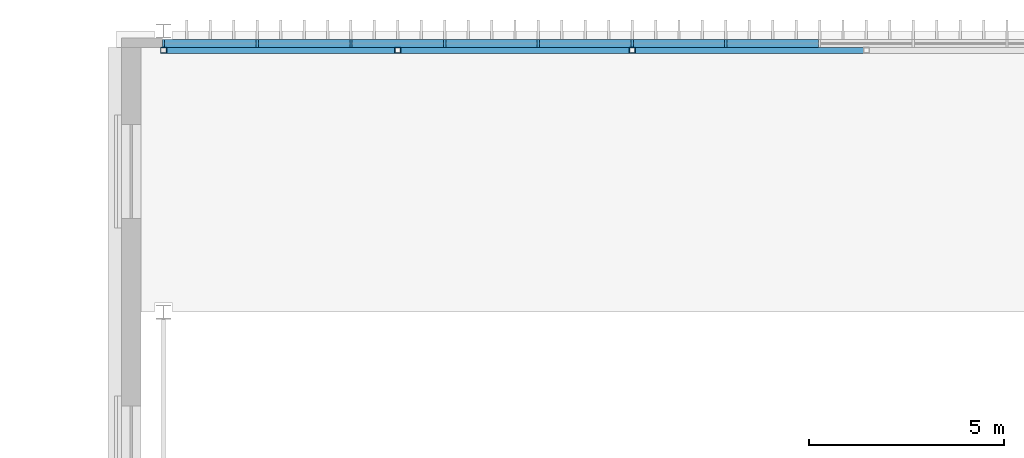
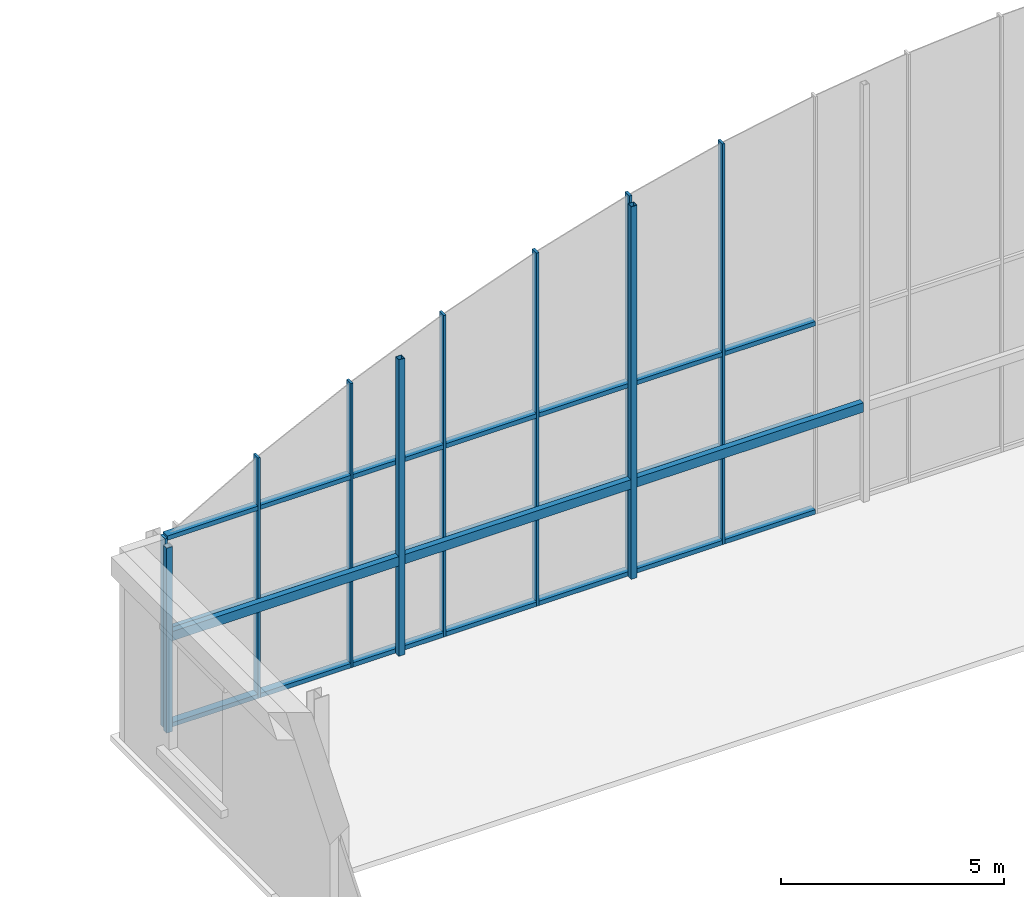
# One storey, part 32 of 93: 31 members, 3 beams, 1 element without a shape of its own.
"""IFC4 building model written with IfcOpenShell, lengths in metres."""

from ifc_helpers import new_model, si_unit, direction, frame, origin, origin_2d, place, context, subcontext, project, spatial, rectangle, hollow_rectangle, extrude, material, layer, layer_set, material_profile, profile_set, type_object, element, aggregate, save


model = new_model("IFC4")

# Units and contexts
model_context = context("Model", 3, precision=1e-05, world=origin(), true_north=direction((0.0, 1.0)))
body_context = subcontext(model_context, "Body", "Model", "MODEL_VIEW")
ifc_project = project(units=[si_unit("LENGTHUNIT", "METRE"), si_unit("AREAUNIT", "SQUARE_METRE"), si_unit("VOLUMEUNIT", "CUBIC_METRE"), si_unit("PLANEANGLEUNIT", "RADIAN"), si_unit("MASSUNIT", "GRAM", prefix="KILO")], contexts=[model_context])

# Site, building, storey
site_placement = place(None, origin())
site = spatial("IfcSite", under=ifc_project, at=site_placement, CompositionType="ELEMENT")
building_placement = place(site_placement, origin())
building = spatial("IfcBuilding", under=site, at=building_placement, Name="Verrick Yard Athletic Hall", CompositionType="ELEMENT")
storey_placement = place(building_placement, frame((0.0, 0.0, 8.800048828125)))
storey = spatial("IfcBuildingStorey", under=building, at=storey_placement, Name="L02", CompositionType="ELEMENT", Elevation=8.800048828125)

# Curtain wall, members
ifc_material_1 = material(Name="Anodised aluminium", Category="aluminium")
ifc_layer = layer(ifc_material_1, 0.199951171875)
ifc_layer_set = layer_set([ifc_layer], Name="Gable glazing")
curtain_wall_type = type_object("IfcCurtainWallType", Name="Gable glazing", PredefinedType="NOTDEFINED", material=ifc_layer_set)
curtain_wall_placement = place(storey_placement, origin())
curtain_wall = element("IfcCurtainWall", 1, at=curtain_wall_placement, inside=storey, type_object=curtain_wall_type, Name="Gable curtain wall AN", PredefinedType="NOTDEFINED")
ifc_material_profile_1 = material_profile(ifc_material_1, rectangle(XDim=0.199951171875, YDim=0.06005859375, at=origin_2d()), Name="CW gable mullion 60x200")
ifc_profile_set_1 = profile_set([ifc_material_profile_1], Name="Anodised aluminium")
member_type_1 = type_object("IfcMemberType", Name="Gable glazing mullion 60x200", PredefinedType="MULLION", material=ifc_profile_set_1)
member_1_placement = place(storey_placement, frame((121.60009765625, 107.681640625, 0.0), z_axis=(0.0, 0.0, 1.0), x_axis=(0.0, 1.0, 0.0)))
member_1 = element("IfcMember", 2, at=member_1_placement, type_object=member_type_1, Name="ENVB-HAN-CW/M00", PredefinedType="MULLION", context=body_context, shape_type="SweptSolid", body=[
    extrude(rectangle(XDim=0.199951171875, YDim=0.06005859375, at=origin_2d()), origin(), (0.0, 0.0, 1.0), 5.199951171875),
])
member_2_placement = place(storey_placement, frame((124.0, 107.681640625, 0.0), z_axis=(0.0, 0.0, 1.0), x_axis=(0.0, 1.0, 0.0)))
member_2 = element("IfcMember", 3, at=member_2_placement, type_object=member_type_1, Name="ENVB-HAN-CW/M01", PredefinedType="MULLION", context=body_context, shape_type="SweptSolid", body=[
    extrude(rectangle(XDim=0.199951171875, YDim=0.06005859375, at=origin_2d()), origin(), (0.0, 0.0, 1.0), 6.5703125),
])
member_3_placement = place(storey_placement, frame((126.39990234375, 107.681640625, 0.0), z_axis=(0.0, 0.0, 1.0), x_axis=(0.0, 1.0, 0.0)))
member_3 = element("IfcMember", 4, at=member_3_placement, type_object=member_type_1, Name="ENVB-HAN-CW/M02", PredefinedType="MULLION", context=body_context, shape_type="SweptSolid", body=[
    extrude(rectangle(XDim=0.199951171875, YDim=0.06005859375, at=origin_2d()), origin(), (0.0, 0.0, 1.0), 7.758544921875),
])
member_4_placement = place(storey_placement, frame((128.800048828125, 107.681640625, 0.0), z_axis=(0.0, 0.0, 1.0), x_axis=(0.0, 1.0, 0.0)))
member_4 = element("IfcMember", 5, at=member_4_placement, type_object=member_type_1, Name="ENVB-HAN-CW/M03", PredefinedType="MULLION", context=body_context, shape_type="SweptSolid", body=[
    extrude(rectangle(XDim=0.199951171875, YDim=0.06005859375, at=origin_2d()), origin(), (0.0, 0.0, 1.0), 8.779541015625),
])
member_5_placement = place(storey_placement, frame((131.199951171875, 107.681640625, 0.0), z_axis=(0.0, 0.0, 1.0), x_axis=(0.0, 1.0, 0.0)))
member_5 = element("IfcMember", 6, at=member_5_placement, type_object=member_type_1, Name="ENVB-HAN-CW/M04", PredefinedType="MULLION", context=body_context, shape_type="SweptSolid", body=[
    extrude(rectangle(XDim=0.199951171875, YDim=0.06005859375, at=origin_2d()), origin(), (0.0, 0.0, 1.0), 9.64501953125),
])
member_6_placement = place(storey_placement, frame((133.60009765625, 107.681640625, 0.0), z_axis=(0.0, 0.0, 1.0), x_axis=(0.0, 1.0, 0.0)))
member_6 = element("IfcMember", 7, at=member_6_placement, type_object=member_type_1, Name="ENVB-HAN-CW/M05", PredefinedType="MULLION", context=body_context, shape_type="SweptSolid", body=[
    extrude(rectangle(XDim=0.199951171875, YDim=0.06005859375, at=origin_2d()), origin(), (0.0, 0.0, 1.0), 10.3642578125),
])
member_7_placement = place(storey_placement, frame((136.0, 107.681640625, 0.0), z_axis=(0.0, 0.0, 1.0), x_axis=(0.0, 1.0, 0.0)))
member_7 = element("IfcMember", 8, at=member_7_placement, type_object=member_type_1, Name="ENVB-HAN-CW/M06", PredefinedType="MULLION", context=body_context, shape_type="SweptSolid", body=[
    extrude(rectangle(XDim=0.199951171875, YDim=0.06005859375, at=origin_2d()), origin(), (0.0, 0.0, 1.0), 10.9443359375),
])
ifc_material_profile_2 = material_profile(ifc_material_1, rectangle(XDim=0.199951171875, YDim=0.1201171875, at=origin_2d()), Name="CW gable transom 200x120")
ifc_profile_set_2 = profile_set([ifc_material_profile_2], Name="Anodised aluminium")
member_type_2 = type_object("IfcMemberType", Name="Gable glazing transom 200x120", PredefinedType="USERDEFINED", material=ifc_profile_set_2)
member_8_placement = place(storey_placement, frame((121.6298828125, 107.681640625, 0.06005859375), z_axis=(1.0, 0.0, 0.0), x_axis=(0.0, 1.0, 0.0)))
member_8 = element("IfcMember", 9, at=member_8_placement, type_object=member_type_2, Name="ENVB-HAN-CW/T00-00", ObjectType="TRANSOM", PredefinedType="USERDEFINED", context=body_context, shape_type="SweptSolid", body=[
    extrude(rectangle(XDim=0.199951171875, YDim=0.1201171875, at=origin_2d()), origin(), (0.0, 0.0, 1.0), 2.340087890625),
])
member_9_placement = place(storey_placement, frame((121.6298828125, 107.681640625, 2.599853515625), z_axis=(1.0, 0.0, 0.0), x_axis=(0.0, 1.0, 0.0)))
member_9 = element("IfcMember", 10, at=member_9_placement, type_object=member_type_2, Name="ENVB-HAN-CW/T00-01", ObjectType="TRANSOM", PredefinedType="USERDEFINED", context=body_context, shape_type="SweptSolid", body=[
    extrude(rectangle(XDim=0.199951171875, YDim=0.1201171875, at=origin_2d()), origin(), (0.0, 0.0, 1.0), 2.340087890625),
])
member_10_placement = place(storey_placement, frame((121.6298828125, 107.681640625, 5.199951171875), z_axis=(1.0, 0.0, 0.0), x_axis=(0.0, 1.0, 0.0)))
member_10 = element("IfcMember", 11, at=member_10_placement, type_object=member_type_2, Name="ENVB-HAN-CW/T00-02", ObjectType="TRANSOM", PredefinedType="USERDEFINED", context=body_context, shape_type="SweptSolid", body=[
    extrude(rectangle(XDim=0.199951171875, YDim=0.1201171875, at=origin_2d()), origin(), (0.0, 0.0, 1.0), 2.340087890625),
])
member_11_placement = place(storey_placement, frame((124.030029296875, 107.681640625, 0.06005859375), z_axis=(1.0, 0.0, 0.0), x_axis=(0.0, 1.0, 0.0)))
member_11 = element("IfcMember", 12, at=member_11_placement, type_object=member_type_2, Name="ENVB-HAN-CW/T01-00", ObjectType="TRANSOM", PredefinedType="USERDEFINED", context=body_context, shape_type="SweptSolid", body=[
    extrude(rectangle(XDim=0.199951171875, YDim=0.1201171875, at=origin_2d()), origin(), (0.0, 0.0, 1.0), 2.340087890625),
])
member_12_placement = place(storey_placement, frame((124.030029296875, 107.681640625, 2.599853515625), z_axis=(1.0, 0.0, 0.0), x_axis=(0.0, 1.0, 0.0)))
member_12 = element("IfcMember", 13, at=member_12_placement, type_object=member_type_2, Name="ENVB-HAN-CW/T01-01", ObjectType="TRANSOM", PredefinedType="USERDEFINED", context=body_context, shape_type="SweptSolid", body=[
    extrude(rectangle(XDim=0.199951171875, YDim=0.1201171875, at=origin_2d()), origin(), (0.0, 0.0, 1.0), 2.340087890625),
])
member_13_placement = place(storey_placement, frame((124.030029296875, 107.681640625, 5.199951171875), z_axis=(1.0, 0.0, 0.0), x_axis=(0.0, 1.0, 0.0)))
member_13 = element("IfcMember", 14, at=member_13_placement, type_object=member_type_2, Name="ENVB-HAN-CW/T01-02", ObjectType="TRANSOM", PredefinedType="USERDEFINED", context=body_context, shape_type="SweptSolid", body=[
    extrude(rectangle(XDim=0.199951171875, YDim=0.1201171875, at=origin_2d()), origin(), (0.0, 0.0, 1.0), 2.340087890625),
])
member_14_placement = place(storey_placement, frame((126.429931640625, 107.681640625, 0.06005859375), z_axis=(1.0, 0.0, 0.0), x_axis=(0.0, 1.0, 0.0)))
member_14 = element("IfcMember", 15, at=member_14_placement, type_object=member_type_2, Name="ENVB-HAN-CW/T02-00", ObjectType="TRANSOM", PredefinedType="USERDEFINED", context=body_context, shape_type="SweptSolid", body=[
    extrude(rectangle(XDim=0.199951171875, YDim=0.1201171875, at=origin_2d()), origin(), (0.0, 0.0, 1.0), 2.340087890625),
])
member_15_placement = place(storey_placement, frame((126.429931640625, 107.681640625, 2.599853515625), z_axis=(1.0, 0.0, 0.0), x_axis=(0.0, 1.0, 0.0)))
member_15 = element("IfcMember", 16, at=member_15_placement, type_object=member_type_2, Name="ENVB-HAN-CW/T02-01", ObjectType="TRANSOM", PredefinedType="USERDEFINED", context=body_context, shape_type="SweptSolid", body=[
    extrude(rectangle(XDim=0.199951171875, YDim=0.1201171875, at=origin_2d()), origin(), (0.0, 0.0, 1.0), 2.340087890625),
])
member_16_placement = place(storey_placement, frame((126.429931640625, 107.681640625, 5.199951171875), z_axis=(1.0, 0.0, 0.0), x_axis=(0.0, 1.0, 0.0)))
member_16 = element("IfcMember", 17, at=member_16_placement, type_object=member_type_2, Name="ENVB-HAN-CW/T02-02", ObjectType="TRANSOM", PredefinedType="USERDEFINED", context=body_context, shape_type="SweptSolid", body=[
    extrude(rectangle(XDim=0.199951171875, YDim=0.1201171875, at=origin_2d()), origin(), (0.0, 0.0, 1.0), 2.340087890625),
])
member_17_placement = place(storey_placement, frame((128.830078125, 107.681640625, 0.06005859375), z_axis=(1.0, 0.0, 0.0), x_axis=(0.0, 1.0, 0.0)))
member_17 = element("IfcMember", 18, at=member_17_placement, type_object=member_type_2, Name="ENVB-HAN-CW/T03-00", ObjectType="TRANSOM", PredefinedType="USERDEFINED", context=body_context, shape_type="SweptSolid", body=[
    extrude(rectangle(XDim=0.199951171875, YDim=0.1201171875, at=origin_2d()), origin(), (0.0, 0.0, 1.0), 2.33984375),
])
member_18_placement = place(storey_placement, frame((128.830078125, 107.681640625, 2.599853515625), z_axis=(1.0, 0.0, 0.0), x_axis=(0.0, 1.0, 0.0)))
member_18 = element("IfcMember", 19, at=member_18_placement, type_object=member_type_2, Name="ENVB-HAN-CW/T03-01", ObjectType="TRANSOM", PredefinedType="USERDEFINED", context=body_context, shape_type="SweptSolid", body=[
    extrude(rectangle(XDim=0.199951171875, YDim=0.1201171875, at=origin_2d()), origin(), (0.0, 0.0, 1.0), 2.33984375),
])
member_19_placement = place(storey_placement, frame((128.830078125, 107.681640625, 5.199951171875), z_axis=(1.0, 0.0, 0.0), x_axis=(0.0, 1.0, 0.0)))
member_19 = element("IfcMember", 20, at=member_19_placement, type_object=member_type_2, Name="ENVB-HAN-CW/T03-02", ObjectType="TRANSOM", PredefinedType="USERDEFINED", context=body_context, shape_type="SweptSolid", body=[
    extrude(rectangle(XDim=0.199951171875, YDim=0.1201171875, at=origin_2d()), origin(), (0.0, 0.0, 1.0), 2.33984375),
])
member_20_placement = place(storey_placement, frame((131.22998046875, 107.681640625, 0.06005859375), z_axis=(1.0, 0.0, 0.0), x_axis=(0.0, 1.0, 0.0)))
member_20 = element("IfcMember", 21, at=member_20_placement, type_object=member_type_2, Name="ENVB-HAN-CW/T04-00", ObjectType="TRANSOM", PredefinedType="USERDEFINED", context=body_context, shape_type="SweptSolid", body=[
    extrude(rectangle(XDim=0.199951171875, YDim=0.1201171875, at=origin_2d()), origin(), (0.0, 0.0, 1.0), 2.340087890625),
])
member_21_placement = place(storey_placement, frame((131.22998046875, 107.681640625, 2.599853515625), z_axis=(1.0, 0.0, 0.0), x_axis=(0.0, 1.0, 0.0)))
member_21 = element("IfcMember", 22, at=member_21_placement, type_object=member_type_2, Name="ENVB-HAN-CW/T04-01", ObjectType="TRANSOM", PredefinedType="USERDEFINED", context=body_context, shape_type="SweptSolid", body=[
    extrude(rectangle(XDim=0.199951171875, YDim=0.1201171875, at=origin_2d()), origin(), (0.0, 0.0, 1.0), 2.340087890625),
])
member_22_placement = place(storey_placement, frame((131.22998046875, 107.681640625, 5.199951171875), z_axis=(1.0, 0.0, 0.0), x_axis=(0.0, 1.0, 0.0)))
member_22 = element("IfcMember", 23, at=member_22_placement, type_object=member_type_2, Name="ENVB-HAN-CW/T04-02", ObjectType="TRANSOM", PredefinedType="USERDEFINED", context=body_context, shape_type="SweptSolid", body=[
    extrude(rectangle(XDim=0.199951171875, YDim=0.1201171875, at=origin_2d()), origin(), (0.0, 0.0, 1.0), 2.340087890625),
])
member_23_placement = place(storey_placement, frame((133.6298828125, 107.681640625, 0.06005859375), z_axis=(1.0, 0.0, 0.0), x_axis=(0.0, 1.0, 0.0)))
member_23 = element("IfcMember", 24, at=member_23_placement, type_object=member_type_2, Name="ENVB-HAN-CW/T05-00", ObjectType="TRANSOM", PredefinedType="USERDEFINED", context=body_context, shape_type="SweptSolid", body=[
    extrude(rectangle(XDim=0.199951171875, YDim=0.1201171875, at=origin_2d()), origin(), (0.0, 0.0, 1.0), 2.340087890625),
])
member_24_placement = place(storey_placement, frame((133.6298828125, 107.681640625, 2.599853515625), z_axis=(1.0, 0.0, 0.0), x_axis=(0.0, 1.0, 0.0)))
member_24 = element("IfcMember", 25, at=member_24_placement, type_object=member_type_2, Name="ENVB-HAN-CW/T05-01", ObjectType="TRANSOM", PredefinedType="USERDEFINED", context=body_context, shape_type="SweptSolid", body=[
    extrude(rectangle(XDim=0.199951171875, YDim=0.1201171875, at=origin_2d()), origin(), (0.0, 0.0, 1.0), 2.340087890625),
])
member_25_placement = place(storey_placement, frame((133.6298828125, 107.681640625, 5.199951171875), z_axis=(1.0, 0.0, 0.0), x_axis=(0.0, 1.0, 0.0)))
member_25 = element("IfcMember", 26, at=member_25_placement, type_object=member_type_2, Name="ENVB-HAN-CW/T05-02", ObjectType="TRANSOM", PredefinedType="USERDEFINED", context=body_context, shape_type="SweptSolid", body=[
    extrude(rectangle(XDim=0.199951171875, YDim=0.1201171875, at=origin_2d()), origin(), (0.0, 0.0, 1.0), 2.340087890625),
])
member_26_placement = place(storey_placement, frame((136.030029296875, 107.681640625, 0.06005859375), z_axis=(1.0, 0.0, 0.0), x_axis=(0.0, 1.0, 0.0)))
member_26 = element("IfcMember", 27, at=member_26_placement, type_object=member_type_2, Name="ENVB-HAN-CW/T06-00", ObjectType="TRANSOM", PredefinedType="USERDEFINED", context=body_context, shape_type="SweptSolid", body=[
    extrude(rectangle(XDim=0.199951171875, YDim=0.1201171875, at=origin_2d()), origin(), (0.0, 0.0, 1.0), 2.340087890625),
])
member_27_placement = place(storey_placement, frame((136.030029296875, 107.681640625, 2.599853515625), z_axis=(1.0, 0.0, 0.0), x_axis=(0.0, 1.0, 0.0)))
member_27 = element("IfcMember", 28, at=member_27_placement, type_object=member_type_2, Name="ENVB-HAN-CW/T06-01", ObjectType="TRANSOM", PredefinedType="USERDEFINED", context=body_context, shape_type="SweptSolid", body=[
    extrude(rectangle(XDim=0.199951171875, YDim=0.1201171875, at=origin_2d()), origin(), (0.0, 0.0, 1.0), 2.340087890625),
])
member_28_placement = place(storey_placement, frame((136.030029296875, 107.681640625, 5.199951171875), z_axis=(1.0, 0.0, 0.0), x_axis=(0.0, 1.0, 0.0)))
member_28 = element("IfcMember", 29, at=member_28_placement, type_object=member_type_2, Name="ENVB-HAN-CW/T06-02", ObjectType="TRANSOM", PredefinedType="USERDEFINED", context=body_context, shape_type="SweptSolid", body=[
    extrude(rectangle(XDim=0.199951171875, YDim=0.1201171875, at=origin_2d()), origin(), (0.0, 0.0, 1.0), 2.340087890625),
])
aggregate(curtain_wall, [member_1, member_2, member_3, member_4, member_5, member_6, member_7, member_8, member_9, member_10, member_11, member_12, member_13, member_14, member_15, member_16, member_17, member_18, member_19, member_20, member_21, member_22, member_23, member_24, member_25, member_26, member_27, member_28])

# Members
ifc_material_2 = material(Name="Structural steel HSS Class C 350W (CSA G40.20/G40.21)", Category="steel")
ifc_material_profile_3 = material_profile(ifc_material_2, hollow_rectangle(XDim=0.15234375, YDim=0.15234375, WallThickness=0.009521484375, at=origin_2d()), Name="HSS152x152x9.5")
ifc_profile_set_3 = profile_set([ifc_material_profile_3], Name="Structural steel HSS Class C 350W (CSA G40.20/G40.21)")
member_type_3 = type_object("IfcMemberType", Name="HB gable post HSS152x152x9.5", PredefinedType="POST", material=ifc_profile_set_3)
member_29_placement = place(storey_placement, frame((121.60009765625, 107.50537109375, 0.0), z_axis=(0.0, 0.0, 1.0), x_axis=(1.0, 0.0, 0.0)))
element("IfcMember", 30, at=member_29_placement, inside=storey, type_object=member_type_3, Name="HB-GP-AN-0", PredefinedType="POST", context=body_context, shape_type="SweptSolid", body=[
    extrude(hollow_rectangle(XDim=0.15234375, YDim=0.15234375, WallThickness=0.009521484375, at=origin_2d()), origin(), (0.0, 0.0, 1.0), 5.054443359375),
])
member_30_placement = place(storey_placement, frame((127.60009765625, 107.50537109375, 0.0), z_axis=(0.0, 0.0, 1.0), x_axis=(1.0, 0.0, 0.0)))
element("IfcMember", 31, at=member_30_placement, inside=storey, type_object=member_type_3, Name="HB-GP-AN-1", PredefinedType="POST", context=body_context, shape_type="SweptSolid", body=[
    extrude(hollow_rectangle(XDim=0.15234375, YDim=0.15234375, WallThickness=0.009521484375, at=origin_2d()), origin(), (0.0, 0.0, 1.0), 8.096923828125),
])
member_31_placement = place(storey_placement, frame((133.60009765625, 107.50537109375, 0.0), z_axis=(0.0, 0.0, 1.0), x_axis=(1.0, 0.0, 0.0)))
element("IfcMember", 32, at=member_31_placement, inside=storey, type_object=member_type_3, Name="HB-GP-AN-2", PredefinedType="POST", context=body_context, shape_type="SweptSolid", body=[
    extrude(hollow_rectangle(XDim=0.15234375, YDim=0.15234375, WallThickness=0.009521484375, at=origin_2d()), origin(), (0.0, 0.0, 1.0), 10.1767578125),
])

# Beams
ifc_material_profile_4 = material_profile(ifc_material_2, hollow_rectangle(XDim=0.15234375, YDim=0.25390625, WallThickness=0.009521484375, at=origin_2d()), Name="HSS254x152x9.5")
ifc_profile_set_4 = profile_set([ifc_material_profile_4], Name="Structural steel HSS Class C 350W (CSA G40.20/G40.21)")
beam_type = type_object("IfcBeamType", Name="HB wind girder HSS254x152x9.5", PredefinedType="BEAM", material=ifc_profile_set_4)
for number, where, z_axis, x_axis, name in (
    (33, (121.67626953125, 107.50537109375, 2.599853515625), (1.0, 0.0, 0.0), (0.0, 1.0, 0.0), "HB-WG-AN-114-1"),
    (34, (127.67626953125, 107.50537109375, 2.599853515625), (1.0, 0.0, 0.0), (0.0, 1.0, 0.0), "HB-WG-AN-114-2"),
    (35, (133.67626953125, 107.50537109375, 2.599853515625), (1.0, 0.0, 0.0), (0.0, 1.0, 0.0), "HB-WG-AN-114-3"),
):
    element("IfcBeam", number, at=place(storey_placement, frame(where, z_axis=z_axis, x_axis=x_axis)), inside=storey, type_object=beam_type, Name=name, PredefinedType="BEAM", context=body_context, shape_type="SweptSolid", body=[
        extrude(hollow_rectangle(XDim=0.15234375, YDim=0.25390625, WallThickness=0.009521484375, at=origin_2d()), origin(), (0.0, 0.0, 1.0), 5.847412109375),
    ])

save(model, "model.ifc")
